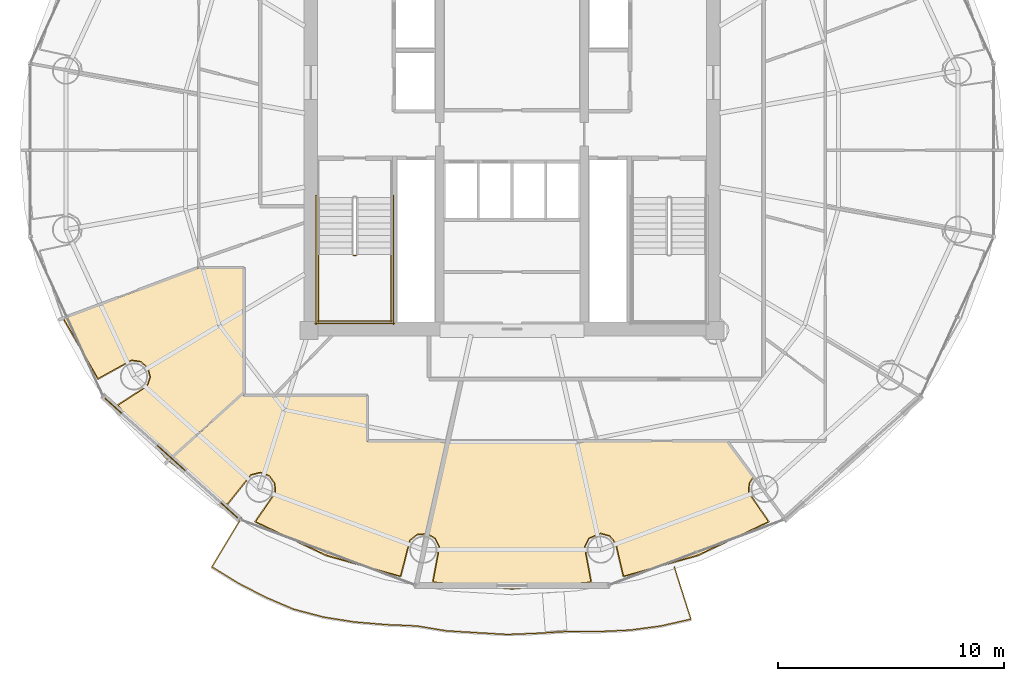
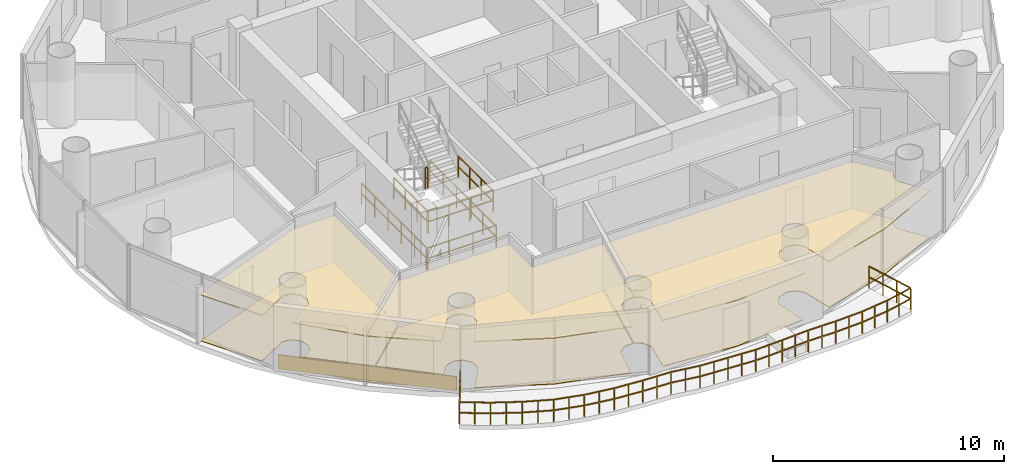
# One storey, part 24 of 26: 8 railings, 7 coverings.
"""IFC4 building model written with IfcOpenShell, lengths in metres."""

from ifc_helpers import new_model, si_unit, direction, frame, origin, origin_2d, place, context, subcontext, project, spatial, polyline, rectangle, outline, extrude, source, transform, mapped, material, layer, layer_set, type_object, element, save


model = new_model("IFC4")

# Units and contexts
model_context = context("Model", 3, precision=1e-05, world=origin(), true_north=direction((-0.2419218956, 0.970295726276)))
body_context = subcontext(model_context, "Body", "Model", "MODEL_VIEW")
ifc_project = project(units=[si_unit("LENGTHUNIT", "METRE"), si_unit("AREAUNIT", "SQUARE_METRE"), si_unit("VOLUMEUNIT", "CUBIC_METRE"), si_unit("PLANEANGLEUNIT", "RADIAN"), si_unit("MASSUNIT", "GRAM", prefix="KILO")], contexts=[model_context])

# Site, building, storey
site_placement = place(None, origin())
site = spatial("IfcSite", under=ifc_project, at=site_placement, CompositionType="ELEMENT")
building_placement = place(site_placement, origin())
building = spatial("IfcBuilding", under=site, at=building_placement, Name="Cobrevalo Terracotta Tower", CompositionType="ELEMENT")
storey_placement = place(building_placement, frame((0.0, 0.0, 231.89990234375)))
storey = spatial("IfcBuildingStorey", under=building, at=storey_placement, Name="L61", CompositionType="ELEMENT", Elevation=231.89990234375)

# Railing
ifc_material_1 = material(Name="Laminated structural glass and stainless steel", Category="steel")
railing_type_1 = type_object("IfcRailingType", Name="Balcony lobe structural glass & terracotta-cap balustrade 1180 mm", PredefinedType="BALUSTRADE", material=ifc_material_1)
railing_1_placement = place(storey_placement, frame((26.005615234375, 10.5048828125, 0.0)))
element("IfcRailing", 1, at=railing_1_placement, inside=storey, type_object=railing_type_1, Name="L61 spiralling balcony lobe balustrade 2", PredefinedType="BALUSTRADE", context=body_context, shape_type="SweptSolid", body=[
    extrude(rectangle(XDim=0.048095703125, YDim=0.048095703125, at=origin_2d()), frame((0.0, 0.0, 1.15576171875), z_axis=(-0.515431235616, -0.856930943164, 0.0), x_axis=(0.856930943164, -0.515431235616, 0.0)), (0.0, 0.0, 1.0), 2.5322265625),
    extrude(rectangle(XDim=0.048095703125, YDim=0.048095703125, at=origin_2d()), frame((0.0, 0.0, 0.58984375), z_axis=(-0.515431235616, -0.856930943164, 0.0), x_axis=(0.856930943164, -0.515431235616, 0.0)), (0.0, 0.0, 1.0), 2.5322265625),
    extrude(rectangle(XDim=0.048095703125, YDim=0.048095703125, at=origin_2d()), frame((-1.30517578125, -2.169921875, 1.15576171875), z_axis=(0.8516521476, -0.524107450327, 0.0), x_axis=(0.524107450327, 0.8516521476, 0.0)), (0.0, 0.0, 1.0), 1.35888671875),
    extrude(rectangle(XDim=0.048095703125, YDim=0.048095703125, at=origin_2d()), frame((-1.30517578125, -2.169921875, 0.58984375), z_axis=(0.8516521476, -0.524107450327, 0.0), x_axis=(0.524107450327, 0.8516521476, 0.0)), (0.0, 0.0, 1.0), 1.35888671875),
    extrude(rectangle(XDim=0.048095703125, YDim=0.048095703125, at=origin_2d()), frame((-0.14794921875, -2.882080078125, 1.15576171875), z_axis=(0.887956723656, -0.459927012594, 0.0), x_axis=(0.459927012594, 0.887956723656, 0.0)), (0.0, 0.0, 1.0), 1.3701171875),
    extrude(rectangle(XDim=0.048095703125, YDim=0.048095703125, at=origin_2d()), frame((-0.14794921875, -2.882080078125, 0.58984375), z_axis=(0.887956723656, -0.459927012594, 0.0), x_axis=(0.459927012594, 0.887956723656, 0.0)), (0.0, 0.0, 1.0), 1.3701171875),
    extrude(rectangle(XDim=0.048095703125, YDim=0.048095703125, at=origin_2d()), frame((1.068603515625, -3.51220703125, 1.15576171875), z_axis=(0.920117802673, -0.391641710246, 0.0), x_axis=(0.391641710246, 0.920117802673, 0.0)), (0.0, 0.0, 1.0), 1.3720703125),
    extrude(rectangle(XDim=0.048095703125, YDim=0.048095703125, at=origin_2d()), frame((1.068603515625, -3.51220703125, 0.58984375), z_axis=(0.920117802673, -0.391641710246, 0.0), x_axis=(0.391641710246, 0.920117802673, 0.0)), (0.0, 0.0, 1.0), 1.3720703125),
    extrude(rectangle(XDim=0.048095703125, YDim=0.048095703125, at=origin_2d()), frame((2.3310546875, -4.049560546875, 1.15576171875), z_axis=(0.967568343281, -0.252609384386, 0.0), x_axis=(0.252609384386, 0.967568343281, 0.0)), (0.0, 0.0, 1.0), 1.378173828125),
    extrude(rectangle(XDim=0.048095703125, YDim=0.048095703125, at=origin_2d()), frame((2.3310546875, -4.049560546875, 0.58984375), z_axis=(0.967568343281, -0.252609384386, 0.0), x_axis=(0.252609384386, 0.967568343281, 0.0)), (0.0, 0.0, 1.0), 1.378173828125),
    extrude(rectangle(XDim=0.048095703125, YDim=0.048095703125, at=origin_2d()), frame((3.66455078125, -4.397705078125, 1.15576171875), z_axis=(0.987711363919, -0.156289032195, 0.0), x_axis=(0.156289032195, 0.987711363919, 0.0)), (0.0, 0.0, 1.0), 1.382568359375),
    extrude(rectangle(XDim=0.048095703125, YDim=0.048095703125, at=origin_2d()), frame((3.66455078125, -4.397705078125, 0.58984375), z_axis=(0.987711363919, -0.156289032195, 0.0), x_axis=(0.156289032195, 0.987711363919, 0.0)), (0.0, 0.0, 1.0), 1.382568359375),
    extrude(rectangle(XDim=0.048095703125, YDim=0.048095703125, at=origin_2d()), frame((5.030029296875, -4.61376953125, 1.15576171875), z_axis=(0.996587258023, -0.082545969893, 0.0), x_axis=(0.082545969893, 0.996587258023, 0.0)), (0.0, 0.0, 1.0), 1.375244140625),
    extrude(rectangle(XDim=0.048095703125, YDim=0.048095703125, at=origin_2d()), frame((5.030029296875, -4.61376953125, 0.58984375), z_axis=(0.996587258023, -0.082545969893, 0.0), x_axis=(0.082545969893, 0.996587258023, 0.0)), (0.0, 0.0, 1.0), 1.375244140625),
    extrude(rectangle(XDim=0.048095703125, YDim=0.048095703125, at=origin_2d()), frame((6.400634765625, -4.727294921875, 1.15576171875), z_axis=(0.999074257755, -0.043018920157, 0.0), x_axis=(0.043018920157, 0.999074257755, 0.0)), (0.0, 0.0, 1.0), 1.36767578125),
    extrude(rectangle(XDim=0.048095703125, YDim=0.048095703125, at=origin_2d()), frame((6.400634765625, -4.727294921875, 0.58984375), z_axis=(0.999074257755, -0.043018920157, 0.0), x_axis=(0.043018920157, 0.999074257755, 0.0)), (0.0, 0.0, 1.0), 1.36767578125),
    extrude(rectangle(XDim=0.048095703125, YDim=0.048095703125, at=origin_2d()), frame((7.76708984375, -4.7861328125, 1.15576171875), z_axis=(0.98684568326, -0.161665077956, 0.0), x_axis=(0.161665077956, 0.98684568326, 0.0)), (0.0, 0.0, 1.0), 1.34716796875),
    extrude(rectangle(XDim=0.048095703125, YDim=0.048095703125, at=origin_2d()), frame((7.76708984375, -4.7861328125, 0.58984375), z_axis=(0.98684568326, -0.161665077956, 0.0), x_axis=(0.161665077956, 0.98684568326, 0.0)), (0.0, 0.0, 1.0), 1.34716796875),
    extrude(rectangle(XDim=0.048095703125, YDim=0.048095703125, at=origin_2d()), frame((9.096435546875, -5.00390625, 1.15576171875), z_axis=(0.998144280792, -0.060893306051, 0.0), x_axis=(0.060893306051, 0.998144280792, 0.0)), (0.0, 0.0, 1.0), 1.35107421875),
    extrude(rectangle(XDim=0.048095703125, YDim=0.048095703125, at=origin_2d()), frame((9.096435546875, -5.00390625, 0.58984375), z_axis=(0.998144280792, -0.060893306051, 0.0), x_axis=(0.060893306051, 0.998144280792, 0.0)), (0.0, 0.0, 1.0), 1.35107421875),
    extrude(rectangle(XDim=0.048095703125, YDim=0.048095703125, at=origin_2d()), frame((10.445068359375, -5.086181640625, 1.15576171875), z_axis=(0.998347128408, -0.057471829622, 0.0), x_axis=(0.057471829622, 0.998347128408, 0.0)), (0.0, 0.0, 1.0), 1.350830078125),
    extrude(rectangle(XDim=0.048095703125, YDim=0.048095703125, at=origin_2d()), frame((10.445068359375, -5.086181640625, 0.58984375), z_axis=(0.998347128408, -0.057471829622, 0.0), x_axis=(0.057471829622, 0.998347128408, 0.0)), (0.0, 0.0, 1.0), 1.350830078125),
    extrude(rectangle(XDim=0.048095703125, YDim=0.048095703125, at=origin_2d()), frame((11.793701171875, -5.163818359375, 1.15576171875), z_axis=(0.999200958722, 0.039968038349, 0.0), x_axis=(-0.039968038349, 0.999200958722, 0.0)), (0.0, 0.0, 1.0), 1.349853515625),
    extrude(rectangle(XDim=0.048095703125, YDim=0.048095703125, at=origin_2d()), frame((11.793701171875, -5.163818359375, 0.58984375), z_axis=(0.999200958722, 0.039968038349, 0.0), x_axis=(-0.039968038349, 0.999200958722, 0.0)), (0.0, 0.0, 1.0), 1.349853515625),
    extrude(rectangle(XDim=0.048095703125, YDim=0.048095703125, at=origin_2d()), frame((13.142578125, -5.10986328125, 1.15576171875), z_axis=(0.99819879056, 0.059993120649, 0.0), x_axis=(-0.059993120649, 0.99819879056, 0.0)), (0.0, 0.0, 1.0), 1.35107421875),
    extrude(rectangle(XDim=0.048095703125, YDim=0.048095703125, at=origin_2d()), frame((13.142578125, -5.10986328125, 0.58984375), z_axis=(0.99819879056, 0.059993120649, 0.0), x_axis=(-0.059993120649, 0.99819879056, 0.0)), (0.0, 0.0, 1.0), 1.35107421875),
    extrude(rectangle(XDim=0.048095703125, YDim=0.048095703125, at=origin_2d()), frame((14.4912109375, -5.02880859375, 1.15576171875), z_axis=(0.999988297845, -0.004837786067, 0.0), x_axis=(0.004837786067, 0.999988297845, 0.0)), (0.0, 0.0, 1.0), 1.362548828125),
    extrude(rectangle(XDim=0.048095703125, YDim=0.048095703125, at=origin_2d()), frame((14.4912109375, -5.02880859375, 0.58984375), z_axis=(0.999988297845, -0.004837786067, 0.0), x_axis=(0.004837786067, 0.999988297845, 0.0)), (0.0, 0.0, 1.0), 1.362548828125),
    extrude(rectangle(XDim=0.048095703125, YDim=0.048095703125, at=origin_2d()), frame((15.853759765625, -5.035400390625, 1.15576171875), z_axis=(0.998906419951, 0.046754295862, 0.0), x_axis=(-0.046754295862, 0.998906419951, 0.0)), (0.0, 0.0, 1.0), 1.373291015625),
    extrude(rectangle(XDim=0.048095703125, YDim=0.048095703125, at=origin_2d()), frame((15.853759765625, -5.035400390625, 0.58984375), z_axis=(0.998906419951, 0.046754295862, 0.0), x_axis=(-0.046754295862, 0.998906419951, 0.0)), (0.0, 0.0, 1.0), 1.373291015625),
    extrude(rectangle(XDim=0.048095703125, YDim=0.048095703125, at=origin_2d()), frame((17.2255859375, -4.97119140625, 1.15576171875), z_axis=(0.991129740132, 0.132897848838, 0.0), x_axis=(-0.132897848838, 0.991129740132, 0.0)), (0.0, 0.0, 1.0), 1.372314453125),
    extrude(rectangle(XDim=0.048095703125, YDim=0.048095703125, at=origin_2d()), frame((17.2255859375, -4.97119140625, 0.58984375), z_axis=(0.991129740132, 0.132897848838, 0.0), x_axis=(-0.132897848838, 0.991129740132, 0.0)), (0.0, 0.0, 1.0), 1.372314453125),
    extrude(rectangle(XDim=0.048095703125, YDim=0.048095703125, at=origin_2d()), frame((18.585693359375, -4.788818359375, 1.15576171875), z_axis=(0.975324873808, 0.220774524192, 0.0), x_axis=(-0.220774524192, 0.975324873808, 0.0)), (0.0, 0.0, 1.0), 1.371337890625),
    extrude(rectangle(XDim=0.048095703125, YDim=0.048095703125, at=origin_2d()), frame((18.585693359375, -4.788818359375, 0.58984375), z_axis=(0.975324873808, 0.220774524192, 0.0), x_axis=(-0.220774524192, 0.975324873808, 0.0)), (0.0, 0.0, 1.0), 1.371337890625),
    extrude(rectangle(XDim=0.048095703125, YDim=0.048095703125, at=origin_2d()), frame((19.923095703125, -4.486083984375, 1.15576171875), z_axis=(-0.303298809336, 0.952895499126, 0.0), x_axis=(-0.952895499126, -0.303298809336, 0.0)), (0.0, 0.0, 1.0), 2.435791015625),
    extrude(rectangle(XDim=0.048095703125, YDim=0.048095703125, at=origin_2d()), frame((19.923095703125, -4.486083984375, 0.58984375), z_axis=(-0.303298809336, 0.952895499126, 0.0), x_axis=(-0.952895499126, -0.303298809336, 0.0)), (0.0, 0.0, 1.0), 2.435791015625),
    extrude(rectangle(XDim=0.0419921875, YDim=0.0419921875, at=origin_2d()), origin(), (0.0, 0.0, 1.0), 1.1318359375),
    extrude(rectangle(XDim=0.0419921875, YDim=0.0419921875, at=origin_2d()), frame((-0.43505859375, -0.723388671875, 0.0)), (0.0, 0.0, 1.0), 1.1318359375),
    extrude(rectangle(XDim=0.0419921875, YDim=0.0419921875, at=origin_2d()), frame((-0.8701171875, -1.446533203125, 0.0)), (0.0, 0.0, 1.0), 1.1318359375),
    extrude(rectangle(XDim=0.0419921875, YDim=0.0419921875, at=origin_2d()), frame((-1.30517578125, -2.169921875, 0.0)), (0.0, 0.0, 1.0), 1.1318359375),
    extrude(rectangle(XDim=0.0419921875, YDim=0.0419921875, at=origin_2d()), frame((-0.7265625, -2.52587890625, 0.0)), (0.0, 0.0, 1.0), 1.1318359375),
    extrude(rectangle(XDim=0.0419921875, YDim=0.0419921875, at=origin_2d()), frame((-0.14794921875, -2.882080078125, 0.0)), (0.0, 0.0, 1.0), 1.1318359375),
    extrude(rectangle(XDim=0.0419921875, YDim=0.0419921875, at=origin_2d()), frame((0.46044921875, -3.197265625, 0.0)), (0.0, 0.0, 1.0), 1.1318359375),
    extrude(rectangle(XDim=0.0419921875, YDim=0.0419921875, at=origin_2d()), frame((1.068603515625, -3.51220703125, 0.0)), (0.0, 0.0, 1.0), 1.1318359375),
    extrude(rectangle(XDim=0.0419921875, YDim=0.0419921875, at=origin_2d()), frame((1.69970703125, -3.78076171875, 0.0)), (0.0, 0.0, 1.0), 1.1318359375),
    extrude(rectangle(XDim=0.0419921875, YDim=0.0419921875, at=origin_2d()), frame((2.3310546875, -4.049560546875, 0.0)), (0.0, 0.0, 1.0), 1.1318359375),
    extrude(rectangle(XDim=0.0419921875, YDim=0.0419921875, at=origin_2d()), frame((2.997802734375, -4.2236328125, 0.0)), (0.0, 0.0, 1.0), 1.1318359375),
    extrude(rectangle(XDim=0.0419921875, YDim=0.0419921875, at=origin_2d()), frame((3.66455078125, -4.397705078125, 0.0)), (0.0, 0.0, 1.0), 1.1318359375),
    extrude(rectangle(XDim=0.0419921875, YDim=0.0419921875, at=origin_2d()), frame((4.34716796875, -4.505859375, 0.0)), (0.0, 0.0, 1.0), 1.1318359375),
    extrude(rectangle(XDim=0.0419921875, YDim=0.0419921875, at=origin_2d()), frame((5.030029296875, -4.61376953125, 0.0)), (0.0, 0.0, 1.0), 1.1318359375),
    extrude(rectangle(XDim=0.0419921875, YDim=0.0419921875, at=origin_2d()), frame((5.71533203125, -4.67041015625, 0.0)), (0.0, 0.0, 1.0), 1.1318359375),
    extrude(rectangle(XDim=0.0419921875, YDim=0.0419921875, at=origin_2d()), frame((6.400634765625, -4.727294921875, 0.0)), (0.0, 0.0, 1.0), 1.1318359375),
    extrude(rectangle(XDim=0.0419921875, YDim=0.0419921875, at=origin_2d()), frame((7.083984375, -4.7568359375, 0.0)), (0.0, 0.0, 1.0), 1.1318359375),
    extrude(rectangle(XDim=0.0419921875, YDim=0.0419921875, at=origin_2d()), frame((7.76708984375, -4.7861328125, 0.0)), (0.0, 0.0, 1.0), 1.1318359375),
    extrude(rectangle(XDim=0.0419921875, YDim=0.0419921875, at=origin_2d()), frame((8.431640625, -4.89501953125, 0.0)), (0.0, 0.0, 1.0), 1.1318359375),
    extrude(rectangle(XDim=0.0419921875, YDim=0.0419921875, at=origin_2d()), frame((9.096435546875, -5.00390625, 0.0)), (0.0, 0.0, 1.0), 1.1318359375),
    extrude(rectangle(XDim=0.0419921875, YDim=0.0419921875, at=origin_2d()), frame((9.770751953125, -5.044921875, 0.0)), (0.0, 0.0, 1.0), 1.1318359375),
    extrude(rectangle(XDim=0.0419921875, YDim=0.0419921875, at=origin_2d()), frame((10.445068359375, -5.086181640625, 0.0)), (0.0, 0.0, 1.0), 1.1318359375),
    extrude(rectangle(XDim=0.0419921875, YDim=0.0419921875, at=origin_2d()), frame((11.119384765625, -5.125, 0.0)), (0.0, 0.0, 1.0), 1.1318359375),
    extrude(rectangle(XDim=0.0419921875, YDim=0.0419921875, at=origin_2d()), frame((11.793701171875, -5.163818359375, 0.0)), (0.0, 0.0, 1.0), 1.1318359375),
    extrude(rectangle(XDim=0.0419921875, YDim=0.0419921875, at=origin_2d()), frame((12.46826171875, -5.13671875, 0.0)), (0.0, 0.0, 1.0), 1.1318359375),
    extrude(rectangle(XDim=0.0419921875, YDim=0.0419921875, at=origin_2d()), frame((13.142578125, -5.10986328125, 0.0)), (0.0, 0.0, 1.0), 1.1318359375),
    extrude(rectangle(XDim=0.0419921875, YDim=0.0419921875, at=origin_2d()), frame((13.81689453125, -5.0693359375, 0.0)), (0.0, 0.0, 1.0), 1.1318359375),
    extrude(rectangle(XDim=0.0419921875, YDim=0.0419921875, at=origin_2d()), frame((14.4912109375, -5.02880859375, 0.0)), (0.0, 0.0, 1.0), 1.1318359375),
    extrude(rectangle(XDim=0.0419921875, YDim=0.0419921875, at=origin_2d()), frame((15.17236328125, -5.0322265625, 0.0)), (0.0, 0.0, 1.0), 1.1318359375),
    extrude(rectangle(XDim=0.0419921875, YDim=0.0419921875, at=origin_2d()), frame((15.853759765625, -5.035400390625, 0.0)), (0.0, 0.0, 1.0), 1.1318359375),
    extrude(rectangle(XDim=0.0419921875, YDim=0.0419921875, at=origin_2d()), frame((16.53955078125, -5.00341796875, 0.0)), (0.0, 0.0, 1.0), 1.1318359375),
    extrude(rectangle(XDim=0.0419921875, YDim=0.0419921875, at=origin_2d()), frame((17.2255859375, -4.97119140625, 0.0)), (0.0, 0.0, 1.0), 1.1318359375),
    extrude(rectangle(XDim=0.0419921875, YDim=0.0419921875, at=origin_2d()), frame((17.90576171875, -4.8798828125, 0.0)), (0.0, 0.0, 1.0), 1.1318359375),
    extrude(rectangle(XDim=0.0419921875, YDim=0.0419921875, at=origin_2d()), frame((18.585693359375, -4.788818359375, 0.0)), (0.0, 0.0, 1.0), 1.1318359375),
    extrude(rectangle(XDim=0.0419921875, YDim=0.0419921875, at=origin_2d()), frame((19.25439453125, -4.637451171875, 0.0)), (0.0, 0.0, 1.0), 1.1318359375),
    extrude(rectangle(XDim=0.0419921875, YDim=0.0419921875, at=origin_2d()), frame((19.923095703125, -4.486083984375, 0.0)), (0.0, 0.0, 1.0), 1.1318359375),
    extrude(rectangle(XDim=0.0419921875, YDim=0.0419921875, at=origin_2d()), frame((19.6767578125, -3.71240234375, 0.0)), (0.0, 0.0, 1.0), 1.1318359375),
    extrude(rectangle(XDim=0.0419921875, YDim=0.0419921875, at=origin_2d()), frame((19.4306640625, -2.938720703125, 0.0)), (0.0, 0.0, 1.0), 1.1318359375),
    extrude(rectangle(XDim=0.0419921875, YDim=0.0419921875, at=origin_2d()), frame((19.184326171875, -2.1650390625, 0.0)), (0.0, 0.0, 1.0), 1.1318359375),
])

# Coverings
ifc_material_2 = material(Name="Engineered Brazilian hardwood flooring", Category="wood")
ifc_layer_1 = layer(ifc_material_2, 0.028076171875)
ifc_layer_set_1 = layer_set([ifc_layer_1], Name="Engineered Brazilian hardwood flooring")
covering_type_1 = type_object("IfcCoveringType", Name="Engineered Hardwood Suite Flooring 28", PredefinedType="FLOORING", material=ifc_layer_set_1)
covering_1_placement = place(storey_placement, origin())
element("IfcCovering", 2, at=covering_1_placement, inside=storey, type_object=covering_type_1, Name="Flat L61A Penthouse Family Lounge floor finish", PredefinedType="FLOORING", context=body_context, shape_type="SweptSolid", body=[
    extrude(outline(polyline([(22.779052734375, 13.072265625), (20.546875, 15.4912109375), (21.840087890625, 16.330810546875), (21.985107421875, 16.735107421875), (21.880859375, 17.152099609375), (21.562744140625, 17.44091796875), (21.1376953125, 17.504150390625), (19.662109375, 16.6865234375), (18.132568359375, 19.342041015625), (24.094970703125, 21.57373046875), (26.10498046875, 21.570068359375), (26.10498046875, 16.077880859375), (22.779052734375, 13.072265625)])), origin(), (0.0, 0.0, 1.0), 0.030029296875),
])
covering_2_placement = place(storey_placement, origin())
element("IfcCovering", 3, at=covering_2_placement, inside=storey, type_object=covering_type_1, Name="Flat L61A Private Cinema Room floor finish", PredefinedType="FLOORING", context=body_context, shape_type="SweptSolid", body=[
    extrude(outline(polyline([(26.6455078125, 10.34033203125), (27.522705078125, 11.610107421875), (27.502685546875, 12.039306640625), (27.247802734375, 12.38525390625), (26.843505859375, 12.531005859375), (26.426513671875, 12.427734375), (25.3720703125, 11.108154296875), (22.810302734375, 13.046630859375), (26.10498046875, 16.02392578125), (26.10498046875, 15.905029296875), (31.570068359375, 15.905029296875), (31.570068359375, 13.89501953125), (35.138916015625, 13.89501953125), (34.240234375, 9.812255859375), (33.801025390625, 9.78662109375), (33.462890625, 9.521484375), (33.0517578125, 7.93017578125), (29.763916015625, 8.858642578125), (26.6455078125, 10.34033203125)])), origin(), (0.0, 0.0, 1.0), 0.030029296875),
])
covering_3_placement = place(storey_placement, origin())
element("IfcCovering", 4, at=covering_3_placement, inside=storey, type_object=covering_type_1, Name="Flat L61B Living and Dining Room floor finish", PredefinedType="FLOORING", context=body_context, shape_type="SweptSolid", body=[
    extrude(outline(polyline([(46.236083984375, 8.858642578125), (42.9482421875, 7.93017578125), (42.6083984375, 9.39501953125), (42.32861328125, 9.72119140625), (41.91455078125, 9.836669921875), (41.396240234375, 9.6083984375), (41.2021484375, 9.22509765625), (41.490234375, 7.66845703125), (38.0, 7.380126953125), (34.509765625, 7.66845703125), (34.7978515625, 9.22509765625), (34.603759765625, 9.6083984375), (34.279052734375, 9.802978515625), (35.179931640625, 13.89501953125), (47.51708984375, 13.89501953125), (48.681396484375, 12.320556640625), (48.497314453125, 12.039306640625), (48.477294921875, 11.610107421875), (49.3544921875, 10.34033203125), (46.236083984375, 8.858642578125)])), origin(), (0.0, 0.0, 1.0), 0.030029296875),
])
ifc_material_3 = material(Name="Acoustic perforated gypsum ceiling", Category="gypsum")
ifc_layer_2 = layer(ifc_material_3, 0.050048828125)
ifc_layer_set_2 = layer_set([ifc_layer_2], Name="Acoustic perforated gypsum ceiling")
covering_type_2 = type_object("IfcCoveringType", Name="Perforated Acoustic Gypsum Ceiling 50", PredefinedType="CEILING", material=ifc_layer_set_2)
covering_4_placement = place(storey_placement, frame((0.0, 0.0, 2.445068359375)))
element("IfcCovering", 5, at=covering_4_placement, inside=storey, type_object=covering_type_2, Name="Flat L61A Penthouse Family Lounge acoustic ceiling", PredefinedType="CEILING", context=body_context, shape_type="SweptSolid", body=[
    extrude(outline(polyline([(22.77685546875, 13.009765625), (20.481201171875, 15.50439453125), (21.8037109375, 16.357666015625), (21.93994140625, 16.737548828125), (21.842041015625, 17.12890625), (21.54345703125, 17.39990234375), (21.144287109375, 17.45947265625), (19.650146484375, 16.626953125), (18.068115234375, 19.365966796875), (24.139892578125, 21.638671875), (26.14990234375, 21.614990234375), (26.14990234375, 16.057861328125), (22.77685546875, 13.009765625)])), origin(), (0.0, 0.0, 1.0), 0.050048828125),
])
covering_5_placement = place(storey_placement, frame((0.0, 0.0, 2.445068359375)))
element("IfcCovering", 6, at=covering_5_placement, inside=storey, type_object=covering_type_2, Name="Flat L61A Private Cinema Room acoustic ceiling", PredefinedType="CEILING", context=body_context, shape_type="SweptSolid", body=[
    extrude(outline(polyline([(26.579833984375, 10.327392578125), (27.478759765625, 11.621337890625), (27.460205078125, 12.024169921875), (27.220703125, 12.348876953125), (26.84130859375, 12.48583984375), (26.44970703125, 12.388916015625), (25.3837890625, 11.048583984375), (22.74072265625, 13.044189453125), (26.14990234375, 16.125244140625), (26.14990234375, 15.949951171875), (31.614990234375, 15.949951171875), (31.614990234375, 13.93994140625), (35.19482421875, 13.93994140625), (34.275146484375, 9.76123046875), (33.8173828125, 9.74462890625), (33.499755859375, 9.49560546875), (33.08642578125, 7.878173828125), (29.748291015625, 8.81640625), (26.579833984375, 10.327392578125)])), origin(), (0.0, 0.0, 1.0), 0.050048828125),
])
covering_6_placement = place(storey_placement, frame((0.0, 0.0, 2.445068359375)))
element("IfcCovering", 7, at=covering_6_placement, inside=storey, type_object=covering_type_2, Name="Flat L61B Living and Dining Room acoustic ceiling", PredefinedType="CEILING", context=body_context, shape_type="SweptSolid", body=[
    extrude(outline(polyline([(46.251708984375, 8.81640625), (42.91357421875, 7.878173828125), (42.56689453125, 9.376953125), (42.30419921875, 9.68310546875), (41.915771484375, 9.79150390625), (41.428955078125, 9.5771484375), (41.246826171875, 9.21728515625), (41.544189453125, 7.632568359375), (38.0, 7.3349609375), (34.455810546875, 7.632568359375), (34.753173828125, 9.21728515625), (34.571044921875, 9.5771484375), (34.2265625, 9.77294921875), (35.143798828125, 13.93994140625), (47.539794921875, 13.93994140625), (48.74169921875, 12.314697265625), (48.539794921875, 12.024169921875), (48.521240234375, 11.621337890625), (49.420166015625, 10.327392578125), (46.251708984375, 8.81640625)])), origin(), (0.0, 0.0, 1.0), 0.050048828125),
])

# Railings
ifc_material_4 = material(Name="Painted galvanized steel", Category="steel")
railing_type_2 = type_object("IfcRailingType", Name="Stair Well Guard Balustrade 1150", PredefinedType="GUARDRAIL", material=ifc_material_4)
railing_2_placement = place(storey_placement, frame((30.97509765625, 22.1298828125, 1.85009765625)))
element("IfcRailing", 8, at=railing_2_placement, inside=storey, type_object=railing_type_2, Name="L61 ST-1 stair guard 2", PredefinedType="GUARDRAIL", context=body_context, shape_type="SweptSolid", body=[
    extrude(rectangle(XDim=0.048095703125, YDim=0.048095703125, at=origin_2d()), frame((0.0, 0.0, 1.1259765625), z_axis=(1.0, 0.0, 0.0), x_axis=(0.0, 1.0, 0.0)), (0.0, 0.0, 1.0), 0.119873046875),
    extrude(rectangle(XDim=0.048095703125, YDim=0.048095703125, at=origin_2d()), frame((0.0, 0.0, 0.574951171875), z_axis=(1.0, 0.0, 0.0), x_axis=(0.0, 1.0, 0.0)), (0.0, 0.0, 1.0), 0.119873046875),
    extrude(rectangle(XDim=0.0419921875, YDim=0.0419921875, at=origin_2d()), origin(), (0.0, 0.0, 1.0), 1.101806640625),
    extrude(rectangle(XDim=0.0419921875, YDim=0.0419921875, at=origin_2d()), frame((0.119873046875, 0.0, 0.0)), (0.0, 0.0, 1.0), 1.101806640625),
])
for number, where, name in (
    (9, (29.425048828125, 22.179931640625, 1.85009765625), "L61 ST-1 stair guard 3"),
    (10, (32.64501953125, 22.179931640625, 1.85009765625), "L61 ST-1 stair guard 4"),
):
    element("IfcRailing", number, at=place(storey_placement, frame(where)), inside=storey, type_object=railing_type_2, Name=name, PredefinedType="GUARDRAIL", context=body_context, shape_type="SweptSolid", body=[
        extrude(rectangle(XDim=0.048095703125, YDim=0.048095703125, at=origin_2d()), frame((0.0, 0.0, 1.1259765625), z_axis=(0.0, -1.0, 0.0), x_axis=(1.0, 0.0, 0.0)), (0.0, 0.0, 1.0), 3.0048828125),
        extrude(rectangle(XDim=0.048095703125, YDim=0.048095703125, at=origin_2d()), frame((0.0, 0.0, 0.574951171875), z_axis=(0.0, -1.0, 0.0), x_axis=(1.0, 0.0, 0.0)), (0.0, 0.0, 1.0), 3.0048828125),
        extrude(rectangle(XDim=0.0419921875, YDim=0.0419921875, at=origin_2d()), origin(), (0.0, 0.0, 1.0), 1.101806640625),
        extrude(rectangle(XDim=0.0419921875, YDim=0.0419921875, at=origin_2d()), frame((0.0, -1.001708984375, 0.0)), (0.0, 0.0, 1.0), 1.101806640625),
        extrude(rectangle(XDim=0.0419921875, YDim=0.0419921875, at=origin_2d()), frame((0.0, -2.003173828125, 0.0)), (0.0, 0.0, 1.0), 1.101806640625),
        extrude(rectangle(XDim=0.0419921875, YDim=0.0419921875, at=origin_2d()), frame((0.0, -3.0048828125, 0.0)), (0.0, 0.0, 1.0), 1.101806640625),
    ])
railing_3_placement = place(storey_placement, frame((29.375, 19.22509765625, 1.85009765625)))
element("IfcRailing", 11, at=railing_3_placement, inside=storey, type_object=railing_type_2, Name="L61 ST-1 stair guard 5", PredefinedType="GUARDRAIL", context=body_context, shape_type="SweptSolid", body=[
    extrude(rectangle(XDim=0.048095703125, YDim=0.048095703125, at=origin_2d()), frame((0.0, 0.0, 1.1259765625), z_axis=(1.0, 0.0, 0.0), x_axis=(0.0, 1.0, 0.0)), (0.0, 0.0, 1.0), 3.320068359375),
    extrude(rectangle(XDim=0.048095703125, YDim=0.048095703125, at=origin_2d()), frame((0.0, 0.0, 0.574951171875), z_axis=(1.0, 0.0, 0.0), x_axis=(0.0, 1.0, 0.0)), (0.0, 0.0, 1.0), 3.320068359375),
    extrude(rectangle(XDim=0.0419921875, YDim=0.0419921875, at=origin_2d()), origin(), (0.0, 0.0, 1.0), 1.101806640625),
    extrude(rectangle(XDim=0.0419921875, YDim=0.0419921875, at=origin_2d()), frame((1.106689453125, 0.0, 0.0)), (0.0, 0.0, 1.0), 1.101806640625),
    extrude(rectangle(XDim=0.0419921875, YDim=0.0419921875, at=origin_2d()), frame((2.21337890625, 0.0, 0.0)), (0.0, 0.0, 1.0), 1.101806640625),
    extrude(rectangle(XDim=0.0419921875, YDim=0.0419921875, at=origin_2d()), frame((3.320068359375, 0.0, 0.0)), (0.0, 0.0, 1.0), 1.101806640625),
])
for number, where, name in (
    (12, (29.324951171875, 24.800048828125, 0.0), "L61 ST-1 stair guard 10"),
    (13, (32.7451171875, 24.800048828125, 0.0), "L61 ST-1 stair guard 11"),
):
    element("IfcRailing", number, at=place(storey_placement, frame(where)), inside=storey, type_object=railing_type_2, Name=name, PredefinedType="GUARDRAIL", context=body_context, shape_type="SweptSolid", body=[
        extrude(rectangle(XDim=0.048095703125, YDim=0.048095703125, at=origin_2d()), frame((0.0, 0.0, 1.1259765625), z_axis=(0.0, -1.0, 0.0), x_axis=(1.0, 0.0, 0.0)), (0.0, 0.0, 1.0), 5.72509765625),
        extrude(rectangle(XDim=0.048095703125, YDim=0.048095703125, at=origin_2d()), frame((0.0, 0.0, 0.574951171875), z_axis=(0.0, -1.0, 0.0), x_axis=(1.0, 0.0, 0.0)), (0.0, 0.0, 1.0), 5.72509765625),
        extrude(rectangle(XDim=0.0419921875, YDim=0.0419921875, at=origin_2d()), origin(), (0.0, 0.0, 1.0), 1.101806640625),
        extrude(rectangle(XDim=0.0419921875, YDim=0.0419921875, at=origin_2d()), frame((0.0, -1.14501953125, 0.0)), (0.0, 0.0, 1.0), 1.101806640625),
        extrude(rectangle(XDim=0.0419921875, YDim=0.0419921875, at=origin_2d()), frame((0.0, -2.2900390625, 0.0)), (0.0, 0.0, 1.0), 1.101806640625),
        extrude(rectangle(XDim=0.0419921875, YDim=0.0419921875, at=origin_2d()), frame((0.0, -3.43505859375, 0.0)), (0.0, 0.0, 1.0), 1.101806640625),
        extrude(rectangle(XDim=0.0419921875, YDim=0.0419921875, at=origin_2d()), frame((0.0, -4.580078125, 0.0)), (0.0, 0.0, 1.0), 1.101806640625),
        extrude(rectangle(XDim=0.0419921875, YDim=0.0419921875, at=origin_2d()), frame((0.0, -5.72509765625, 0.0)), (0.0, 0.0, 1.0), 1.101806640625),
    ])
railing_4_placement = place(storey_placement, frame((29.27490234375, 19.125, 0.0)))
element("IfcRailing", 14, at=railing_4_placement, inside=storey, type_object=railing_type_2, Name="L61 ST-1 stair guard 12", PredefinedType="GUARDRAIL", context=body_context, shape_type="SweptSolid", body=[
    extrude(rectangle(XDim=0.048095703125, YDim=0.048095703125, at=origin_2d()), frame((0.0, 0.0, 1.1259765625), z_axis=(1.0, 0.0, 0.0), x_axis=(0.0, 1.0, 0.0)), (0.0, 0.0, 1.0), 3.52001953125),
    extrude(rectangle(XDim=0.048095703125, YDim=0.048095703125, at=origin_2d()), frame((0.0, 0.0, 0.574951171875), z_axis=(1.0, 0.0, 0.0), x_axis=(0.0, 1.0, 0.0)), (0.0, 0.0, 1.0), 3.52001953125),
    extrude(rectangle(XDim=0.0419921875, YDim=0.0419921875, at=origin_2d()), origin(), (0.0, 0.0, 1.0), 1.101806640625),
    extrude(rectangle(XDim=0.0419921875, YDim=0.0419921875, at=origin_2d()), frame((1.17333984375, 0.0, 0.0)), (0.0, 0.0, 1.0), 1.101806640625),
    extrude(rectangle(XDim=0.0419921875, YDim=0.0419921875, at=origin_2d()), frame((2.3466796875, 0.0, 0.0)), (0.0, 0.0, 1.0), 1.101806640625),
    extrude(rectangle(XDim=0.0419921875, YDim=0.0419921875, at=origin_2d()), frame((3.52001953125, 0.0, 0.0)), (0.0, 0.0, 1.0), 1.101806640625),
])

# Covering
ifc_material_5 = material(Name="Glazed terracotta facade cladding tile", Category="masonry")
ifc_layer_3 = layer(ifc_material_5, 0.044921875)
ifc_layer_set_3 = layer_set([ifc_layer_3], Name="Glazed terracotta facade cladding tile")
covering_type_3 = type_object("IfcCoveringType", Name="Architectural terracotta rainscreen spandrel cladding 45 mm", PredefinedType="CLADDING", material=ifc_layer_set_3)
shared_shape = source(origin(), body_context, "Body", "SweptSolid", [
    extrude(rectangle(XDim=7.89501953125, YDim=0.044921875, at=origin_2d()), origin(), (0.0, 0.0, 1.0), 0.760009765625),
])
covering_7_placement = place(storey_placement, frame((22.902099609375, 13.158447265625, 0.0400390625), z_axis=(0.0, 0.0, 1.0), x_axis=(0.741987542015, -0.670413668935, 0.0)))
element("IfcCovering", 15, at=covering_7_placement, inside=storey, type_object=covering_type_3, Name="L61 terracotta spandrel cladding S10", PredefinedType="CLADDING", context=body_context, shape_type="MappedRepresentation", body=[
    mapped(shared_shape, transform((0.0, 0.0, 0.0), scale=1.0)),
])

save(model, "model.ifc")
